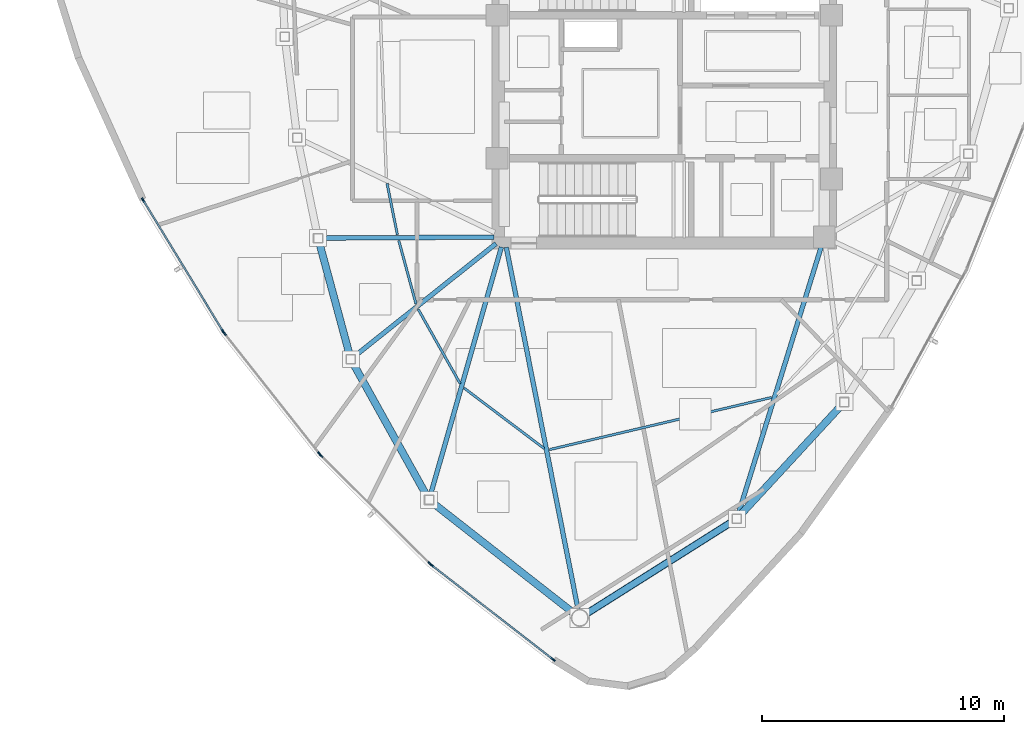
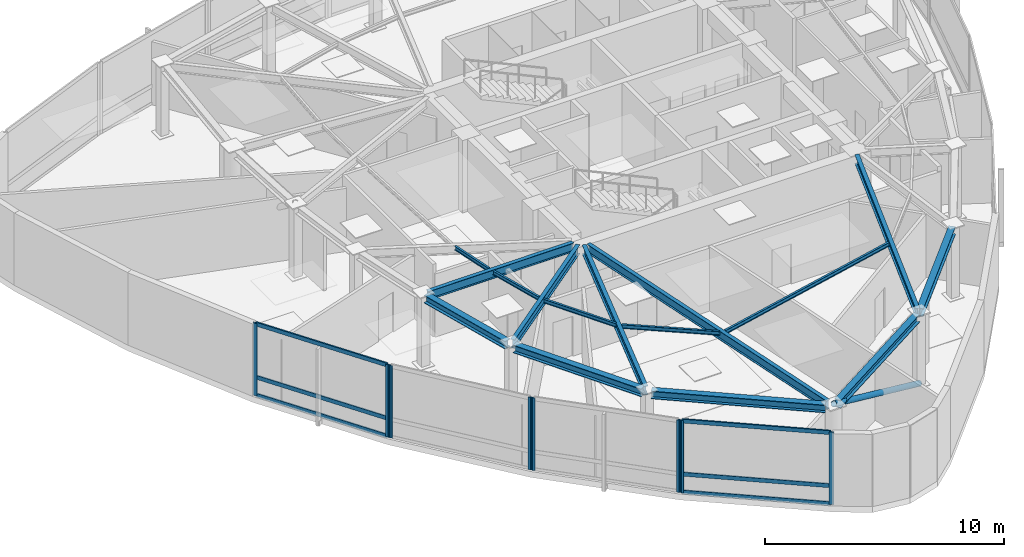
# One storey, part 2 of 12: 15 beams, 15 members, 4 elements without a shape of their own.
"""IFC4 building model written with IfcOpenShell, lengths in metres."""

from ifc_helpers import new_model, si_unit, direction, frame, origin, origin_2d, place, context, subcontext, project, spatial, hollow_rectangle, hollow_circle, i_section, extrude, source, transform, mapped, material, layer, layer_set, material_profile, profile_set, type_object, type_shapes, element, aggregate, save


model = new_model("IFC4")

# Units and contexts
model_context = context("Model", 3, precision=1e-05, world=origin(), true_north=direction((0.0, 1.0)))
body_context = subcontext(model_context, "Body", "Model", "MODEL_VIEW")
ifc_project = project(units=[si_unit("LENGTHUNIT", "METRE"), si_unit("AREAUNIT", "SQUARE_METRE"), si_unit("VOLUMEUNIT", "CUBIC_METRE"), si_unit("PLANEANGLEUNIT", "RADIAN"), si_unit("MASSUNIT", "GRAM", prefix="KILO")], contexts=[model_context])

# Site, building, storey
site_placement = place(None, origin())
site = spatial("IfcSite", under=ifc_project, at=site_placement, CompositionType="ELEMENT")
building_placement = place(site_placement, origin())
building = spatial("IfcBuilding", under=site, at=building_placement, Name="Tavelor Broadcast Tower", CompositionType="ELEMENT")
storey_placement = place(building_placement, frame((0.0, 0.0, 317.5)))
storey = spatial("IfcBuildingStorey", under=building, at=storey_placement, Name="L76", CompositionType="ELEMENT", Elevation=317.5)

# Beams
ifc_material_1 = material(Name="Steel S355", Category="steel")
ifc_material_profile_1 = material_profile(ifc_material_1, i_section(OverallWidth=0.10009765625, OverallDepth=0.199951171875, WebThickness=0.005615234375, FlangeThickness=0.008544921875, at=origin_2d()), Name="IPE 200")
ifc_profile_set_1 = profile_set([ifc_material_profile_1], Name="Steel S355")
beam_type_1 = type_object("IfcBeamType", Name="Composite Floor Joist T8 IPE 200", PredefinedType="JOIST", material=ifc_profile_set_1)
beam_1_placement = place(storey_placement, frame((38.564208984375, 41.011474609375, 3.60009765625), z_axis=(0.197508991617, -0.980301075298, 0.0), x_axis=(0.980301075298, 0.197508991617, 0.0)))
element("IfcBeam", 1, at=beam_1_placement, inside=storey, type_object=beam_type_1, Name="L76 Secondary Composite Floor Joist 03", PredefinedType="JOIST", context=body_context, shape_type="SweptSolid", body=[
    extrude(i_section(OverallWidth=0.10009765625, OverallDepth=0.199951171875, WebThickness=0.005615234375, FlangeThickness=0.008544921875, at=origin_2d()), origin(), (0.0, 0.0, 1.0), 2.156982421875),
])
beam_2_placement = place(storey_placement, frame((39.047119140625, 38.656005859375, 3.60009765625), z_axis=(0.262422477479, -0.964953078296, 0.0), x_axis=(0.964953078296, 0.262422477479, 0.0)))
element("IfcBeam", 2, at=beam_2_placement, inside=storey, type_object=beam_type_1, Name="L76 Secondary Composite Floor Joist 04", PredefinedType="JOIST", context=body_context, shape_type="SweptSolid", body=[
    extrude(i_section(OverallWidth=0.10009765625, OverallDepth=0.199951171875, WebThickness=0.005615234375, FlangeThickness=0.008544921875, at=origin_2d()), origin(), (0.0, 0.0, 1.0), 2.705322265625),
])
beam_3_placement = place(storey_placement, frame((39.850341796875, 35.818115234375, 3.60009765625), z_axis=(0.491325237054, -0.870976183046, 0.0), x_axis=(0.870976183046, 0.491325237054, 0.0)))
element("IfcBeam", 3, at=beam_3_placement, inside=storey, type_object=beam_type_1, Name="L76 Secondary Composite Floor Joist 05", PredefinedType="JOIST", context=body_context, shape_type="SweptSolid", body=[
    extrude(i_section(OverallWidth=0.10009765625, OverallDepth=0.199951171875, WebThickness=0.005615234375, FlangeThickness=0.008544921875, at=origin_2d()), origin(), (0.0, 0.0, 1.0), 3.517578125),
])
beam_4_placement = place(storey_placement, frame((41.738037109375, 32.572021484375, 3.60009765625), z_axis=(0.798228709669, -0.602354486213, 0.0), x_axis=(0.602354486213, 0.798228709669, 0.0)))
element("IfcBeam", 4, at=beam_4_placement, inside=storey, type_object=beam_type_1, Name="L76 Secondary Composite Floor Joist 06", PredefinedType="JOIST", context=body_context, shape_type="SweptSolid", body=[
    extrude(i_section(OverallWidth=0.10009765625, OverallDepth=0.199951171875, WebThickness=0.005615234375, FlangeThickness=0.008544921875, at=origin_2d()), origin(), (0.0, 0.0, 1.0), 4.14306640625),
])
beam_5_placement = place(storey_placement, frame((45.264404296875, 30.0302734375, 3.60009765625), z_axis=(0.973517343803, 0.2286131696, 0.0), x_axis=(-0.2286131696, 0.973517343803, 0.0)))
element("IfcBeam", 5, at=beam_5_placement, inside=storey, type_object=beam_type_1, Name="L76 Secondary Composite Floor Joist 07", PredefinedType="JOIST", context=body_context, shape_type="SweptSolid", body=[
    extrude(i_section(OverallWidth=0.10009765625, OverallDepth=0.199951171875, WebThickness=0.005615234375, FlangeThickness=0.008544921875, at=origin_2d()), origin(), (0.0, 0.0, 1.0), 9.420166015625),
])
ifc_material_profile_2 = material_profile(ifc_material_1, i_section(OverallWidth=0.300048828125, OverallDepth=0.39990234375, WebThickness=0.013427734375, FlangeThickness=0.02392578125, at=origin_2d()), Name="HEB 400")
ifc_profile_set_2 = profile_set([ifc_material_profile_2], Name="Steel S355")
beam_type_2 = type_object("IfcBeamType", Name="Perimeter Spandrel Beam T8 HEB 400", PredefinedType="SPANDREL", material=ifc_profile_set_2)
beam_6_placement = place(storey_placement, frame((35.7666015625, 38.57177734375, 3.5), z_axis=(0.261091192609, -0.965314140134, 0.0), x_axis=(0.965314140134, 0.261091192609, 0.0)))
element("IfcBeam", 6, at=beam_6_placement, inside=storey, type_object=beam_type_2, Name="L76 Framed-Tube Ring Spandrel 04", PredefinedType="SPANDREL", context=body_context, shape_type="SweptSolid", body=[
    extrude(i_section(OverallWidth=0.300048828125, OverallDepth=0.39990234375, WebThickness=0.013427734375, FlangeThickness=0.02392578125, at=origin_2d()), origin(), (0.0, 0.0, 1.0), 4.793212890625),
])
beam_7_placement = place(storey_placement, frame((37.161376953125, 33.591796875, 3.5), z_axis=(0.485960824991, -0.87398059279, 0.0), x_axis=(0.87398059279, 0.485960824991, 0.0)))
element("IfcBeam", 7, at=beam_7_placement, inside=storey, type_object=beam_type_2, Name="L76 Framed-Tube Ring Spandrel 05", PredefinedType="SPANDREL", context=body_context, shape_type="SweptSolid", body=[
    extrude(i_section(OverallWidth=0.300048828125, OverallDepth=0.39990234375, WebThickness=0.013427734375, FlangeThickness=0.02392578125, at=origin_2d()), origin(), (0.0, 0.0, 1.0), 6.25927734375),
])
beam_8_placement = place(storey_placement, frame((40.44775390625, 27.835205078125, 3.5), z_axis=(0.787507799936, -0.616304685233, 0.0), x_axis=(0.616304685233, 0.787507799936, 0.0)))
element("IfcBeam", 8, at=beam_8_placement, inside=storey, type_object=beam_type_2, Name="L76 Framed-Tube Ring Spandrel 06", PredefinedType="SPANDREL", context=body_context, shape_type="SweptSolid", body=[
    extrude(i_section(OverallWidth=0.300048828125, OverallDepth=0.39990234375, WebThickness=0.013427734375, FlangeThickness=0.02392578125, at=origin_2d()), origin(), (0.0, 0.0, 1.0), 7.362548828125),
])
beam_9_placement = place(storey_placement, frame((46.80322265625, 23.26953125, 3.5), z_axis=(0.845619104197, 0.533786783855, 0.0), x_axis=(-0.533786783855, 0.845619104197, 0.0)))
element("IfcBeam", 9, at=beam_9_placement, inside=storey, type_object=beam_type_2, Name="L76 Framed-Tube Ring Spandrel 07", PredefinedType="SPANDREL", context=body_context, shape_type="SweptSolid", body=[
    extrude(i_section(OverallWidth=0.300048828125, OverallDepth=0.39990234375, WebThickness=0.013427734375, FlangeThickness=0.02392578125, at=origin_2d()), origin(), (0.0, 0.0, 1.0), 7.127685546875),
])
beam_10_placement = place(storey_placement, frame((53.123046875, 27.318115234375, 3.5), z_axis=(0.677791441508, 0.735254215778, 0.0), x_axis=(-0.735254215778, 0.677791441508, 0.0)))
element("IfcBeam", 10, at=beam_10_placement, inside=storey, type_object=beam_type_2, Name="L76 Framed-Tube Ring Spandrel 08", PredefinedType="SPANDREL", context=body_context, shape_type="SweptSolid", body=[
    extrude(i_section(OverallWidth=0.300048828125, OverallDepth=0.39990234375, WebThickness=0.013427734375, FlangeThickness=0.02392578125, at=origin_2d()), origin(), (0.0, 0.0, 1.0), 6.164794921875),
])

# Member
ifc_material_profile_3 = material_profile(ifc_material_1, hollow_circle(Radius=0.136474609375, WallThickness=0.012451171875, at=origin_2d()), Name="CHS 273x12.5")
ifc_profile_set_3 = profile_set([ifc_material_profile_3], Name="Steel S355")
member_type_1 = type_object("IfcMemberType", Name="Perimeter Tube Brace T8 CHS 273x12.5", PredefinedType="BRACE", material=ifc_profile_set_3)
member_1_placement = place(storey_placement, frame((52.992919921875, 27.1767578125, 0.0), z_axis=(-0.761462376336, -0.480666847696, 0.434895885184), x_axis=(0.533789146824, -0.845617612596, 0.0)))
element("IfcMember", 11, at=member_1_placement, inside=storey, type_object=member_type_1, Name="L76 Corner Tube Diagonal Brace 2", PredefinedType="BRACE", context=body_context, shape_type="SweptSolid", body=[
    extrude(hollow_circle(Radius=0.136474609375, WallThickness=0.012451171875, at=origin_2d()), origin(), (0.0, 0.0, 1.0), 8.507568359375),
])

# Beams
ifc_material_profile_4 = material_profile(ifc_material_1, i_section(OverallWidth=0.18994140625, OverallDepth=0.449951171875, WebThickness=0.009521484375, FlangeThickness=0.0146484375, at=origin_2d()), Name="IPE 450")
ifc_profile_set_4 = profile_set([ifc_material_profile_4], Name="Steel S355")
beam_type_3 = type_object("IfcBeamType", Name="Radial Floor Girder T8 IPE 450", PredefinedType="BEAM", material=ifc_profile_set_4)
beam_11_placement = place(storey_placement, frame((42.968017578125, 38.797607421875, 3.47509765625), z_axis=(-0.999984499874, -0.005567765406, 0.0), x_axis=(0.005567765406, -0.999984499874, 0.0)))
element("IfcBeam", 12, at=beam_11_placement, inside=storey, type_object=beam_type_3, Name="L76 Radial Primary Floor Girder 04", PredefinedType="BEAM", context=body_context, shape_type="SweptSolid", body=[
    extrude(i_section(OverallWidth=0.18994140625, OverallDepth=0.449951171875, WebThickness=0.009521484375, FlangeThickness=0.0146484375, at=origin_2d()), origin(), (0.0, 0.0, 1.0), 7.0595703125),
])
beam_12_placement = place(storey_placement, frame((43.06201171875, 38.531005859375, 3.47509765625), z_axis=(-0.782378063296, -0.622803794203, 0.0), x_axis=(0.622803794203, -0.782378063296, 0.0)))
element("IfcBeam", 13, at=beam_12_placement, inside=storey, type_object=beam_type_3, Name="L76 Radial Primary Floor Girder 05", PredefinedType="BEAM", context=body_context, shape_type="SweptSolid", body=[
    extrude(i_section(OverallWidth=0.18994140625, OverallDepth=0.449951171875, WebThickness=0.009521484375, FlangeThickness=0.0146484375, at=origin_2d()), origin(), (0.0, 0.0, 1.0), 7.46923828125),
])
beam_13_placement = place(storey_placement, frame((43.28125, 38.384765625, 3.47509765625), z_axis=(-0.275093242186, -0.961417551381, 0.0), x_axis=(0.961417551381, -0.275093242186, 0.0)))
element("IfcBeam", 14, at=beam_13_placement, inside=storey, type_object=beam_type_3, Name="L76 Radial Primary Floor Girder 06", PredefinedType="BEAM", context=body_context, shape_type="SweptSolid", body=[
    extrude(i_section(OverallWidth=0.18994140625, OverallDepth=0.449951171875, WebThickness=0.009521484375, FlangeThickness=0.0146484375, at=origin_2d()), origin(), (0.0, 0.0, 1.0), 10.65771484375),
])
beam_14_placement = place(storey_placement, frame((43.48388671875, 38.376220703125, 3.47509765625), z_axis=(0.194446659361, -0.980913093328, 0.0), x_axis=(0.980913093328, 0.194446659361, 0.0)))
element("IfcBeam", 15, at=beam_14_placement, inside=storey, type_object=beam_type_3, Name="L76 Radial Primary Floor Girder 07", PredefinedType="BEAM", context=body_context, shape_type="SweptSolid", body=[
    extrude(i_section(OverallWidth=0.18994140625, OverallDepth=0.449951171875, WebThickness=0.009521484375, FlangeThickness=0.0146484375, at=origin_2d()), origin(), (0.0, 0.0, 1.0), 15.2451171875),
])
beam_15_placement = place(storey_placement, frame((56.471923828125, 38.387451171875, 3.47509765625), z_axis=(-0.296386578424, -0.955068058376, 0.0), x_axis=(0.955068058376, -0.296386578424, 0.0)))
element("IfcBeam", 16, at=beam_15_placement, inside=storey, type_object=beam_type_3, Name="L76 Radial Primary Floor Girder 08", PredefinedType="BEAM", context=body_context, shape_type="SweptSolid", body=[
    extrude(i_section(OverallWidth=0.18994140625, OverallDepth=0.449951171875, WebThickness=0.009521484375, FlangeThickness=0.0146484375, at=origin_2d()), origin(), (0.0, 0.0, 1.0), 11.546142578125),
])

# Curtain wall, members
ifc_material_2 = material(Name="Architectural Anodized Aluminium", Category="aluminium")
ifc_layer = layer(ifc_material_2, 0.199951171875)
ifc_layer_set = layer_set([ifc_layer], Name="Architectural Anodized Aluminium")
curtain_wall_type = type_object("IfcCurtainWallType", Name="Tower High-Zone Triple-Glazed Curtain Wall CW04", PredefinedType="NOTDEFINED", material=ifc_layer_set)
curtain_wall_1_placement = place(storey_placement, origin())
curtain_wall_1 = element("IfcCurtainWall", 17, at=curtain_wall_1_placement, inside=storey, type_object=curtain_wall_type, Name="L76 Curtain Wall CW04 Run 841", PredefinedType="NOTDEFINED")
ifc_material_profile_5 = material_profile(ifc_material_2, hollow_rectangle(XDim=0.070068359375, YDim=0.199951171875, WallThickness=0.02197265625, at=origin_2d()), Name="RHS 70x200x22")
ifc_profile_set_5 = profile_set([ifc_material_profile_5], Name="Architectural Anodized Aluminium")
member_type_2 = type_object("IfcMemberType", Name="CW04 Extruded Aluminium Mullion 70x200", PredefinedType="MULLION", material=ifc_profile_set_5)
shared_shape_1 = source(origin(), body_context, "Body", "SweptSolid", [
    extrude(hollow_rectangle(XDim=0.070068359375, YDim=0.199951171875, WallThickness=0.02197265625, at=origin_2d()), origin(), (0.0, 0.0, 1.0), 3.699951171875),
])
type_shapes(member_type_2, [shared_shape_1])
member_2_placement = place(storey_placement, frame((28.49658203125, 40.32958984375, 0.0), z_axis=(0.0, 0.0, 1.0), x_axis=(0.854232270985, 0.519891553315, 0.0)))
member_2 = element("IfcMember", 18, at=member_2_placement, type_object=member_type_2, Name="CW04 mullion 1", PredefinedType="MULLION", context=body_context, shape_type="MappedRepresentation", body=[
    mapped(shared_shape_1, transform((0.0, 0.0, 0.0), scale=1.0)),
])
member_3_placement = place(storey_placement, frame((31.794921875, 34.909912109375, 0.0), z_axis=(0.0, 0.0, 1.0), x_axis=(0.854232270985, 0.519891553315, 0.0)))
member_3 = element("IfcMember", 19, at=member_3_placement, type_object=member_type_2, Name="CW04 mullion 2", PredefinedType="MULLION", context=body_context, shape_type="MappedRepresentation", body=[
    mapped(shared_shape_1, transform((0.0, 0.0, 0.0), scale=1.0)),
])

curtain_wall_2_placement = place(storey_placement, origin())
curtain_wall_2 = element("IfcCurtainWall", 20, at=curtain_wall_2_placement, inside=storey, type_object=curtain_wall_type, Name="L76 Curtain Wall CW04 Run 842", PredefinedType="NOTDEFINED")
member_4_placement = place(storey_placement, frame((31.851806640625, 34.828125, 0.0), z_axis=(0.0, 0.0, 1.0), x_axis=(0.785046736844, 0.619436535063, 0.0)))
member_4 = element("IfcMember", 21, at=member_4_placement, type_object=member_type_2, Name="CW04 mullion 1", PredefinedType="MULLION", context=body_context, shape_type="MappedRepresentation", body=[
    mapped(shared_shape_1, transform((0.0, 0.0, 0.0), scale=1.0)),
])
member_5_placement = place(storey_placement, frame((35.7724609375, 29.859130859375, 0.0), z_axis=(0.0, 0.0, 1.0), x_axis=(0.785046736844, 0.619436535063, 0.0)))
member_5 = element("IfcMember", 22, at=member_5_placement, type_object=member_type_2, Name="CW04 mullion 2", PredefinedType="MULLION", context=body_context, shape_type="MappedRepresentation", body=[
    mapped(shared_shape_1, transform((0.0, 0.0, 0.0), scale=1.0)),
])
aggregate(curtain_wall_2, [member_4, member_5])

curtain_wall_3_placement = place(storey_placement, origin())
curtain_wall_3 = element("IfcCurtainWall", 23, at=curtain_wall_3_placement, inside=storey, type_object=curtain_wall_type, Name="L76 Curtain Wall CW04 Run 843", PredefinedType="NOTDEFINED")
member_6_placement = place(storey_placement, frame((35.839111328125, 29.78466796875, 0.0), z_axis=(0.0, 0.0, 1.0), x_axis=(0.704319784769, 0.709882835955, 0.0)))
member_6 = element("IfcMember", 24, at=member_6_placement, type_object=member_type_2, Name="CW04 mullion 1", PredefinedType="MULLION", context=body_context, shape_type="MappedRepresentation", body=[
    mapped(shared_shape_1, transform((0.0, 0.0, 0.0), scale=1.0)),
])
member_7_placement = place(storey_placement, frame((40.332275390625, 25.32666015625, 0.0), z_axis=(0.0, 0.0, 1.0), x_axis=(0.704319784769, 0.709882835955, 0.0)))
member_7 = element("IfcMember", 25, at=member_7_placement, type_object=member_type_2, Name="CW04 mullion 2", PredefinedType="MULLION", context=body_context, shape_type="MappedRepresentation", body=[
    mapped(shared_shape_1, transform((0.0, 0.0, 0.0), scale=1.0)),
])
aggregate(curtain_wall_3, [member_6, member_7])

curtain_wall_4_placement = place(storey_placement, origin())
curtain_wall_4 = element("IfcCurtainWall", 26, at=curtain_wall_4_placement, inside=storey, type_object=curtain_wall_type, Name="L76 Curtain Wall CW04 Run 844", PredefinedType="NOTDEFINED")
member_8_placement = place(storey_placement, frame((40.4072265625, 25.260986328125, 0.0), z_axis=(0.0, 0.0, 1.0), x_axis=(0.613234624213, 0.789900813816, 0.0)))
member_8 = element("IfcMember", 27, at=member_8_placement, type_object=member_type_2, Name="CW04 mullion 1", PredefinedType="MULLION", context=body_context, shape_type="MappedRepresentation", body=[
    mapped(shared_shape_1, transform((0.0, 0.0, 0.0), scale=1.0)),
])
member_9_placement = place(storey_placement, frame((45.41943359375, 21.36962890625, 0.0), z_axis=(0.0, 0.0, 1.0), x_axis=(0.613234624213, 0.789900813816, 0.0)))
member_9 = element("IfcMember", 28, at=member_9_placement, type_object=member_type_2, Name="CW04 mullion 2", PredefinedType="MULLION", context=body_context, shape_type="MappedRepresentation", body=[
    mapped(shared_shape_1, transform((0.0, 0.0, 0.0), scale=1.0)),
])

# Member
ifc_material_profile_6 = material_profile(ifc_material_2, hollow_rectangle(XDim=0.070068359375, YDim=0.199951171875, WallThickness=0.02197265625, at=origin_2d()), Name="RHS 70x200x22")
ifc_profile_set_6 = profile_set([ifc_material_profile_6], Name="Architectural Anodized Aluminium")
member_type_3 = type_object("IfcMemberType", Name="CW04 Extruded Aluminium Transom 70x200", PredefinedType="USERDEFINED", material=ifc_profile_set_6)
shared_shape_2 = source(origin(), body_context, "Body", "SweptSolid", [
    extrude(hollow_rectangle(XDim=0.070068359375, YDim=0.199951171875, WallThickness=0.02197265625, at=origin_2d()), origin(), (0.0, 0.0, 1.0), 6.2744140625),
])
member_10_placement = place(storey_placement, frame((28.5146484375, 40.2998046875, 0.034912109375), z_axis=(0.519881522271, -0.854238375865, 0.0), x_axis=(0.854238375865, 0.519881522271, 0.0)))
member_10 = element("IfcMember", 29, at=member_10_placement, type_object=member_type_3, Name="CW04 transom 1.1", ObjectType="TRANSOM", PredefinedType="USERDEFINED", context=body_context, shape_type="MappedRepresentation", body=[
    mapped(shared_shape_2, transform((0.0, 0.0, 0.0), scale=1.0)),
])

member_11_placement = place(storey_placement, frame((28.5146484375, 40.2998046875, 0.949951171875), z_axis=(0.519881522271, -0.854238375865, 0.0), x_axis=(0.854238375865, 0.519881522271, 0.0)))
member_11 = element("IfcMember", 30, at=member_11_placement, type_object=member_type_3, Name="CW04 transom 1.2", ObjectType="TRANSOM", PredefinedType="USERDEFINED", context=body_context, shape_type="MappedRepresentation", body=[
    mapped(shared_shape_2, transform((0.0, 0.0, 0.0), scale=1.0)),
])

member_12_placement = place(storey_placement, frame((28.5146484375, 40.2998046875, 3.6650390625), z_axis=(0.519881522271, -0.854238375865, 0.0), x_axis=(0.854238375865, 0.519881522271, 0.0)))
member_12 = element("IfcMember", 31, at=member_12_placement, type_object=member_type_3, Name="CW04 transom 1.3", ObjectType="TRANSOM", PredefinedType="USERDEFINED", context=body_context, shape_type="MappedRepresentation", body=[
    mapped(shared_shape_2, transform((0.0, 0.0, 0.0), scale=1.0)),
])

aggregate(curtain_wall_1, [member_2, member_3, member_10, member_11, member_12])

shared_shape_3 = source(origin(), body_context, "Body", "SweptSolid", [
    extrude(hollow_rectangle(XDim=0.070068359375, YDim=0.199951171875, WallThickness=0.02197265625, at=origin_2d()), origin(), (0.0, 0.0, 1.0), 6.275634765625),
])
type_shapes(member_type_3, [shared_shape_2, shared_shape_3])
member_13_placement = place(storey_placement, frame((40.434814453125, 25.239501953125, 0.034912109375), z_axis=(0.789898649545, -0.613237411977, 0.0), x_axis=(0.613237411977, 0.789898649545, 0.0)))
member_13 = element("IfcMember", 32, at=member_13_placement, type_object=member_type_3, Name="CW04 transom 1.1", ObjectType="TRANSOM", PredefinedType="USERDEFINED", context=body_context, shape_type="MappedRepresentation", body=[
    mapped(shared_shape_3, transform((0.0, 0.0, 0.0), scale=1.0)),
])

member_14_placement = place(storey_placement, frame((40.434814453125, 25.239501953125, 0.949951171875), z_axis=(0.789898649545, -0.613237411977, 0.0), x_axis=(0.613237411977, 0.789898649545, 0.0)))
member_14 = element("IfcMember", 33, at=member_14_placement, type_object=member_type_3, Name="CW04 transom 1.2", ObjectType="TRANSOM", PredefinedType="USERDEFINED", context=body_context, shape_type="MappedRepresentation", body=[
    mapped(shared_shape_3, transform((0.0, 0.0, 0.0), scale=1.0)),
])

member_15_placement = place(storey_placement, frame((40.434814453125, 25.239501953125, 3.6650390625), z_axis=(0.789898649545, -0.613237411977, 0.0), x_axis=(0.613237411977, 0.789898649545, 0.0)))
member_15 = element("IfcMember", 34, at=member_15_placement, type_object=member_type_3, Name="CW04 transom 1.3", ObjectType="TRANSOM", PredefinedType="USERDEFINED", context=body_context, shape_type="MappedRepresentation", body=[
    mapped(shared_shape_3, transform((0.0, 0.0, 0.0), scale=1.0)),
])

aggregate(curtain_wall_4, [member_8, member_9, member_13, member_14, member_15])

save(model, "model.ifc")
